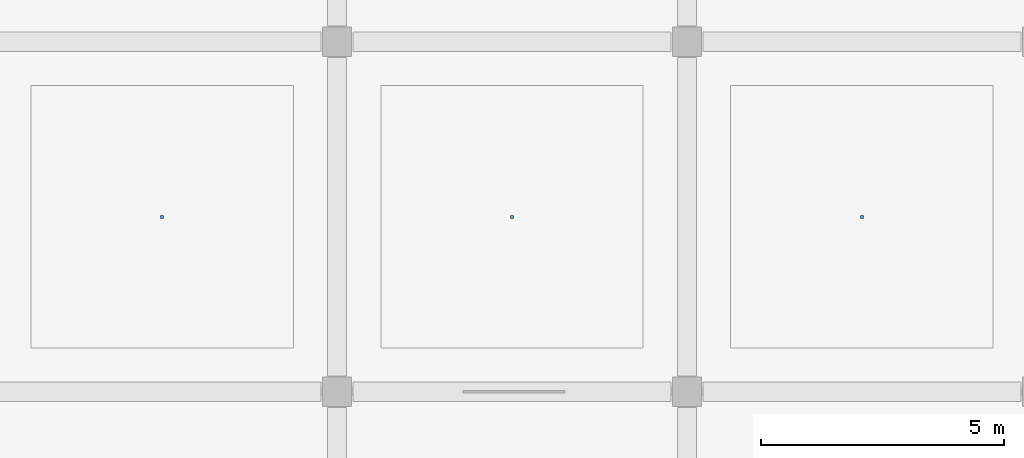
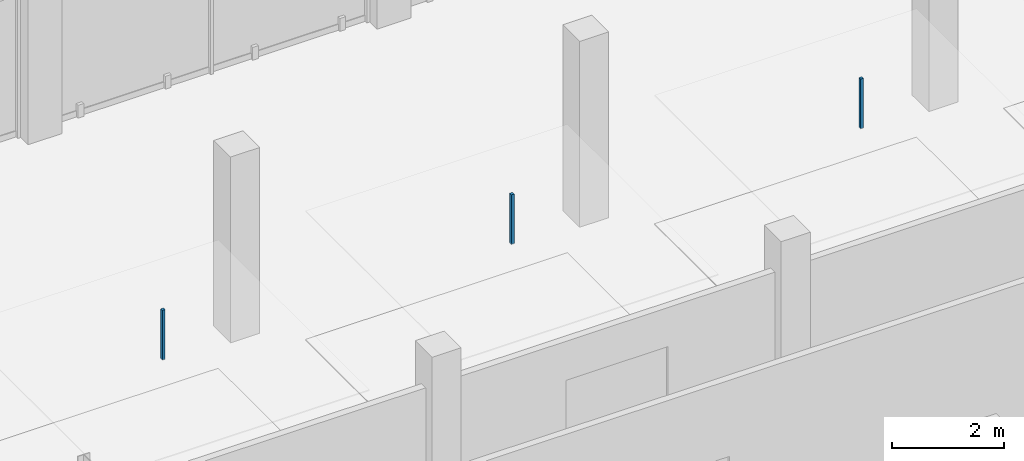
# One storey, part 95 of 107: 3 discrete accessories.
"""IFC4 building model written with IfcOpenShell, lengths in metres."""

from ifc_helpers import new_model, si_unit, direction, frame, origin, origin_2d, place, context, subcontext, project, spatial, rectangle, extrude, material, type_object, element, save


model = new_model("IFC4")

# Units and contexts
model_context = context("Model", 3, precision=1e-05, world=origin(), true_north=direction((0.0, 1.0)))
body_context = subcontext(model_context, "Body", "Model", "MODEL_VIEW")
ifc_project = project(units=[si_unit("LENGTHUNIT", "METRE"), si_unit("AREAUNIT", "SQUARE_METRE"), si_unit("VOLUMEUNIT", "CUBIC_METRE"), si_unit("PLANEANGLEUNIT", "RADIAN"), si_unit("MASSUNIT", "GRAM", prefix="KILO")], contexts=[model_context])

# Site, building, storey
site_placement = place(None, origin())
site = spatial("IfcSite", under=ifc_project, at=site_placement, CompositionType="ELEMENT")
building_placement = place(site_placement, origin())
building = spatial("IfcBuilding", under=site, at=building_placement, Name="Kangsadwip Square Police Headquarters", CompositionType="ELEMENT")
storey_placement = place(building_placement, frame((0.0, 0.0, 5.39990234375)))
storey = spatial("IfcBuildingStorey", under=building, at=storey_placement, Name="L01", CompositionType="ELEMENT", Elevation=5.39990234375)

# Discrete accessories
ifc_material = material(Name="Structural steel IS 2062 E350 (Grade 350, 350 MPa)", Category="steel")
discrete_accessory_type = type_object("IfcDiscreteAccessoryType", Name="VeilOutriggerBracket", PredefinedType="BRACKET", material=ifc_material)
for number, where, z_axis, x_axis, name in (
    (1, (97.199951171875, 104.39990234375, 2.81005859375), (0.0, 0.0, 1.0), (1.0, 0.0, 0.0), "Ceiling Suspension Hanger L01-039"),
    (2, (104.39990234375, 104.39990234375, 2.81005859375), (0.0, 0.0, 1.0), (1.0, 0.0, 0.0), "Ceiling Suspension Hanger L01-040"),
    (3, (111.60009765625, 104.39990234375, 2.81005859375), (0.0, 0.0, 1.0), (1.0, 0.0, 0.0), "Ceiling Suspension Hanger L01-041"),
):
    element("IfcDiscreteAccessory", number, at=place(storey_placement, frame(where, z_axis=z_axis, x_axis=x_axis)), inside=storey, type_object=discrete_accessory_type, Name=name, PredefinedType="BRACKET", context=body_context, shape_type="SweptSolid", body=[
        extrude(rectangle(XDim=0.06005859375, YDim=0.06005859375, at=origin_2d()), origin(), (0.0, 0.0, 1.0), 1.080078125),
    ])

save(model, "model.ifc")
